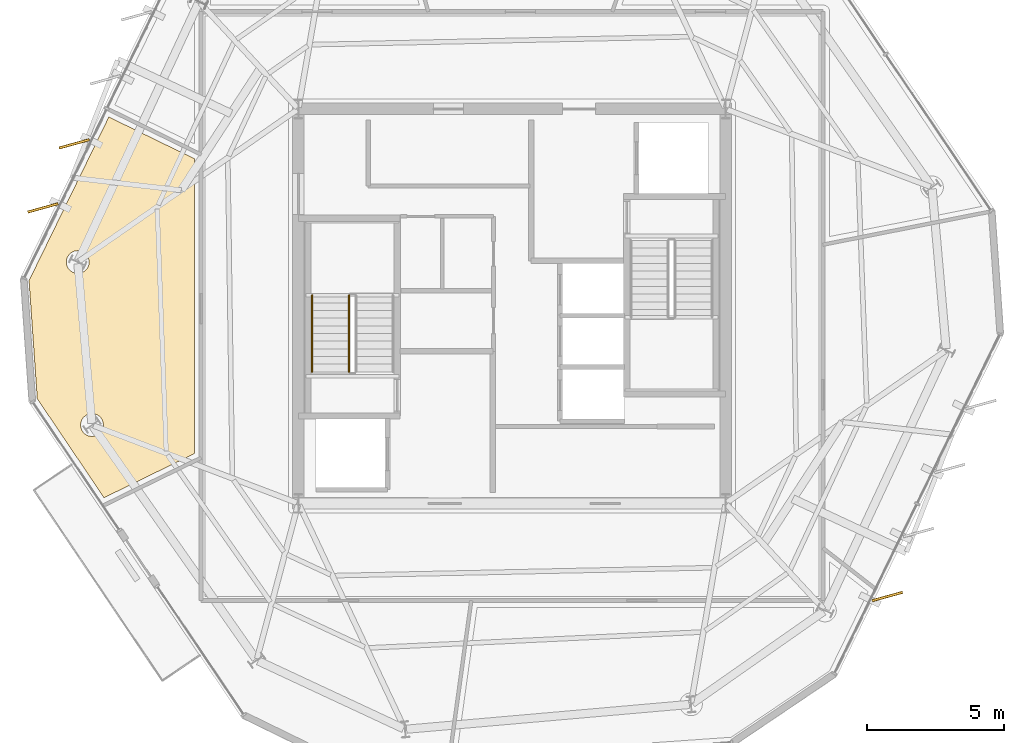
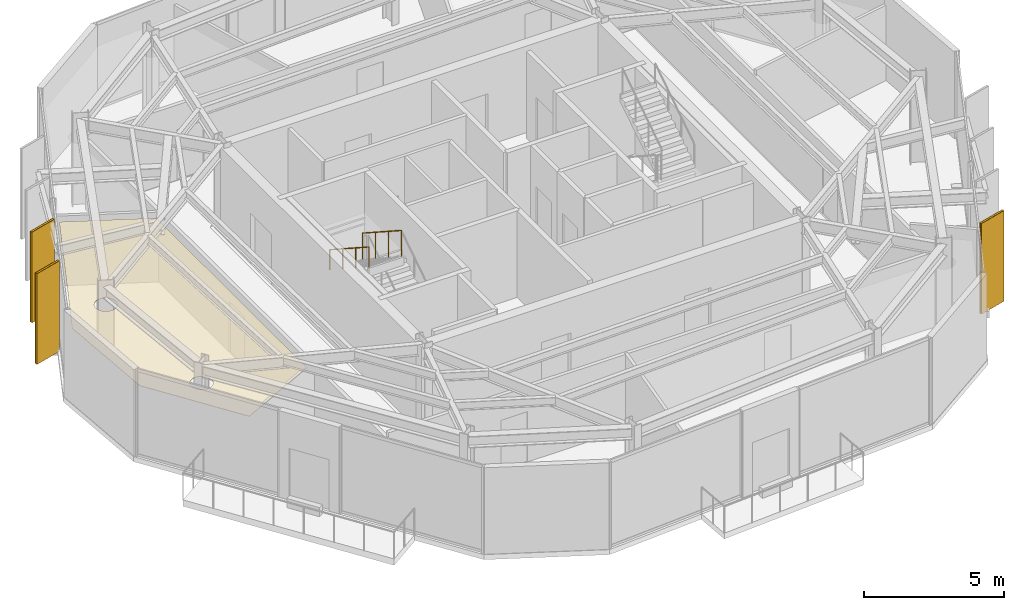
# One storey, part 10 of 13: 4 coverings, 3 shading devices, 2 railings.
"""IFC4 building model written with IfcOpenShell, lengths in metres."""

from ifc_helpers import new_model, si_unit, direction, frame, origin, origin_2d, place, context, subcontext, project, spatial, polyline, rectangle, circle, outline, extrude, material, layer, layer_set, type_object, element, save


model = new_model("IFC4")

# Units and contexts
model_context = context("Model", 3, precision=1e-05, world=origin(), true_north=direction((0.0, 1.0)))
body_context = subcontext(model_context, "Body", "Model", "MODEL_VIEW")
ifc_project = project(units=[si_unit("LENGTHUNIT", "METRE"), si_unit("AREAUNIT", "SQUARE_METRE"), si_unit("VOLUMEUNIT", "CUBIC_METRE"), si_unit("PLANEANGLEUNIT", "RADIAN"), si_unit("MASSUNIT", "GRAM", prefix="KILO")], contexts=[model_context])

# Site, building, storey
site_placement = place(None, origin())
site = spatial("IfcSite", under=ifc_project, at=site_placement, CompositionType="ELEMENT")
building_placement = place(site_placement, origin())
building = spatial("IfcBuilding", under=site, at=building_placement, Name="Kranzbogen Civic Tower", CompositionType="ELEMENT")
storey_placement = place(building_placement, frame((0.0, 0.0, 282.199951171875)))
storey = spatial("IfcBuildingStorey", under=building, at=storey_placement, Name="L68", CompositionType="ELEMENT", Elevation=282.199951171875)

# Coverings
ifc_material_1 = material(Name="Pale Anodised Aluminium", Category="aluminium")
ifc_layer_1 = layer(ifc_material_1, 0.02490234375, Name="Pale Anodised Aluminium")
ifc_layer_set_1 = layer_set([ifc_layer_1], Name="Pale Anodised Aluminium")
covering_type_1 = type_object("IfcCoveringType", Name="Anodised Aluminium Vertical Fin Cladding 25 mm", PredefinedType="CLADDING", material=ifc_layer_set_1)
for number, where, z_axis, x_axis, name in (
    (1, (9.01611328125, 30.926025390625, -0.139892578125), (0.0, 0.0, 1.0), (-0.963979441748, -0.265976758172, 0.0), "L68 vertical fin pale-metal cladding F2-3"),
    (2, (7.8759765625, 28.589111328125, -0.139892578125), (0.0, 0.0, 1.0), (-0.963979441748, -0.265976758172, 0.0), "L68 vertical fin pale-metal cladding F2-4"),
    (3, (38.705078125, 14.39990234375, -0.139892578125), (0.0, 0.0, 1.0), (0.963979441748, 0.265976758172, 0.0), "L68 vertical fin pale-metal cladding F5-1"),
):
    element("IfcCovering", number, at=place(storey_placement, frame(where, z_axis=z_axis, x_axis=x_axis)), inside=storey, type_object=covering_type_1, Name=name, PredefinedType="CLADDING", context=body_context, shape_type="SweptSolid", body=[
        extrude(rectangle(XDim=1.14990234375, YDim=0.094970703125, at=origin_2d()), origin(), (0.0, 0.0, 1.0), 3.9599609375),
    ])

# Railing
ifc_material_2 = material(Name="Steel S355", Category="steel")
railing_type_1 = type_object("IfcRailingType", Name="Internal Stair and Void Steel Guardrail 1150", PredefinedType="GUARDRAIL", material=ifc_material_2)
railing_1_placement = place(storey_placement, frame((19.050048828125, 25.39990234375, 2.181884765625)))
element("IfcRailing", 4, at=railing_1_placement, inside=storey, type_object=railing_type_1, Name="L68 ST-T1 stair guard 3", PredefinedType="GUARDRAIL", context=body_context, shape_type="SweptSolid", body=[
    extrude(circle(Radius=0.02392578125, at=origin_2d()), frame((0.0, 0.0, 1.1259765625), z_axis=(0.0, -0.83868413941, 0.544618136222), x_axis=(1.0, 0.0, 0.0)), (0.0, 0.0, 1.0), 3.33837890625),
    extrude(circle(Radius=0.02099609375, at=origin_2d()), origin(), (0.0, 0.0, 1.0), 1.101806640625),
    extrude(circle(Radius=0.02099609375, at=origin_2d()), frame((0.0, -0.933349609375, 0.60595703125)), (0.0, 0.0, 1.0), 1.101806640625),
    extrude(circle(Radius=0.02099609375, at=origin_2d()), frame((0.0, -1.866455078125, 1.212158203125)), (0.0, 0.0, 1.0), 1.101806640625),
    extrude(circle(Radius=0.02099609375, at=origin_2d()), frame((0.0, -2.7998046875, 1.818115234375)), (0.0, 0.0, 1.0), 1.101806640625),
])

# Shading devices
shading_device_type = type_object("IfcShadingDeviceType", Name="Pale Anodised Aluminium Crown Fin 1150x75", PredefinedType="USERDEFINED", material=ifc_material_1)
for number, where, z_axis, x_axis, name in (
    (5, (9.01611328125, 30.926025390625, -0.139892578125), (0.0, 0.0, 1.0), (-0.963979441748, -0.265976758172, 0.0), "L68 vertical exterior shading fin F2-3"),
    (6, (7.8759765625, 28.589111328125, -0.139892578125), (0.0, 0.0, 1.0), (-0.963979441748, -0.265976758172, 0.0), "L68 vertical exterior shading fin F2-4"),
    (7, (38.705078125, 14.39990234375, -0.139892578125), (0.0, 0.0, 1.0), (0.963979441748, 0.265976758172, 0.0), "L68 vertical exterior shading fin F5-1"),
):
    element("IfcShadingDevice", number, at=place(storey_placement, frame(where, z_axis=z_axis, x_axis=x_axis)), inside=storey, type_object=shading_device_type, Name=name, ObjectType="FIN", PredefinedType="USERDEFINED", context=body_context, shape_type="SweptSolid", body=[
        extrude(rectangle(XDim=1.14990234375, YDim=0.074951171875, at=origin_2d()), origin(), (0.0, 0.0, 1.0), 3.9599609375),
    ])

# Covering
ifc_material_3 = material(Name="Perforated Acoustic Gypsum Ceiling")
ifc_layer_2 = layer(ifc_material_3, 0.02490234375, Name="Perforated Acoustic Gypsum Ceiling")
ifc_layer_set_2 = layer_set([ifc_layer_2], Name="Perforated Acoustic Gypsum Ceiling")
covering_type_2 = type_object("IfcCoveringType", Name="Perforated Acoustic Mineral Ceiling Tile 25 mm", PredefinedType="CEILING", material=ifc_layer_set_2)
covering_placement = place(storey_placement, frame((0.0, 0.0, 2.900146484375)))
element("IfcCovering", 8, at=covering_placement, inside=storey, type_object=covering_type_2, Name="L68 Citizen Services Kiosk acoustic ceiling", PredefinedType="CEILING", context=body_context, shape_type="SweptSolid", body=[
    extrude(outline(polyline([(7.366943359375, 25.93505859375), (10.280029296875, 31.906982421875), (13.405029296875, 30.383056640625), (13.405029296875, 19.616943359375), (10.10498046875, 18.007080078125), (7.66796875, 21.6201171875), (7.366943359375, 25.93505859375)]), holes=[polyline([(10.050048828125, 20.501953125), (10.031982421875, 20.465087890625), (10.010986328125, 20.429931640625), (9.987060546875, 20.39697265625), (9.9599609375, 20.366943359375), (9.929931640625, 20.340087890625), (9.89697265625, 20.31591796875), (9.862060546875, 20.294921875), (9.824951171875, 20.277099609375), (9.787109375, 20.262939453125), (9.7470703125, 20.25390625), (9.70703125, 20.248046875), (9.666015625, 20.24609375), (9.625, 20.248046875), (9.5849609375, 20.25390625), (9.544921875, 20.262939453125), (9.507080078125, 20.277099609375), (9.469970703125, 20.294921875), (9.43505859375, 20.31591796875), (9.402099609375, 20.340087890625), (9.3720703125, 20.366943359375), (9.344970703125, 20.39697265625), (9.321044921875, 20.429931640625), (9.300048828125, 20.465087890625), (9.281982421875, 20.501953125), (9.26806640625, 20.5400390625), (9.259033203125, 20.580078125), (9.2529296875, 20.6201171875), (9.2509765625, 20.660888671875), (9.2529296875, 20.701904296875), (9.259033203125, 20.741943359375), (9.26806640625, 20.781982421875), (9.281982421875, 20.820068359375), (9.300048828125, 20.85693359375), (9.321044921875, 20.89208984375), (9.344970703125, 20.925048828125), (9.3720703125, 20.955078125), (9.402099609375, 20.98193359375), (9.43505859375, 21.006103515625), (9.469970703125, 21.027099609375), (9.507080078125, 21.044921875), (9.544921875, 21.05908203125), (9.5849609375, 21.068115234375), (9.625, 21.073974609375), (9.666015625, 21.075927734375), (9.70703125, 21.073974609375), (9.7470703125, 21.068115234375), (9.787109375, 21.05908203125), (9.824951171875, 21.044921875), (9.862060546875, 21.027099609375), (9.89697265625, 21.006103515625), (9.929931640625, 20.98193359375), (9.9599609375, 20.955078125), (9.987060546875, 20.925048828125), (10.010986328125, 20.89208984375), (10.031982421875, 20.85693359375), (10.050048828125, 20.820068359375), (10.06396484375, 20.781982421875), (10.072998046875, 20.741943359375), (10.0791015625, 20.701904296875), (10.0810546875, 20.660888671875), (10.0791015625, 20.6201171875), (10.072998046875, 20.580078125), (10.06396484375, 20.5400390625), (10.050048828125, 20.501953125)]), polyline([(9.529052734375, 26.450927734375), (9.510986328125, 26.4140625), (9.489990234375, 26.37890625), (9.466064453125, 26.345947265625), (9.43896484375, 26.31591796875), (9.408935546875, 26.2890625), (9.3759765625, 26.264892578125), (9.341064453125, 26.243896484375), (9.303955078125, 26.22607421875), (9.26611328125, 26.2119140625), (9.22607421875, 26.202880859375), (9.18603515625, 26.197021484375), (9.14501953125, 26.195068359375), (9.10400390625, 26.197021484375), (9.06396484375, 26.202880859375), (9.02392578125, 26.2119140625), (8.986083984375, 26.22607421875), (8.948974609375, 26.243896484375), (8.9140625, 26.264892578125), (8.881103515625, 26.2890625), (8.85107421875, 26.31591796875), (8.823974609375, 26.345947265625), (8.800048828125, 26.37890625), (8.779052734375, 26.4140625), (8.760986328125, 26.450927734375), (8.7470703125, 26.489013671875), (8.738037109375, 26.529052734375), (8.73193359375, 26.569091796875), (8.72998046875, 26.610107421875), (8.73193359375, 26.65087890625), (8.738037109375, 26.69091796875), (8.7470703125, 26.73095703125), (8.760986328125, 26.76904296875), (8.779052734375, 26.805908203125), (8.800048828125, 26.841064453125), (8.823974609375, 26.8740234375), (8.85107421875, 26.904052734375), (8.881103515625, 26.930908203125), (8.9140625, 26.955078125), (8.948974609375, 26.97607421875), (8.986083984375, 26.993896484375), (9.02392578125, 27.008056640625), (9.06396484375, 27.01708984375), (9.10400390625, 27.02294921875), (9.14501953125, 27.02490234375), (9.18603515625, 27.02294921875), (9.22607421875, 27.01708984375), (9.26611328125, 27.008056640625), (9.303955078125, 26.993896484375), (9.341064453125, 26.97607421875), (9.3759765625, 26.955078125), (9.408935546875, 26.930908203125), (9.43896484375, 26.904052734375), (9.466064453125, 26.8740234375), (9.489990234375, 26.841064453125), (9.510986328125, 26.805908203125), (9.529052734375, 26.76904296875), (9.54296875, 26.73095703125), (9.552001953125, 26.69091796875), (9.55810546875, 26.65087890625), (9.56005859375, 26.610107421875), (9.55810546875, 26.569091796875), (9.552001953125, 26.529052734375), (9.54296875, 26.489013671875), (9.529052734375, 26.450927734375)])]), origin(), (0.0, 0.0, 1.0), 0.02490234375),
])

# Railing
railing_type_2 = type_object("IfcRailingType", Name="Tubular Stainless Stair Wall Handrail 900", PredefinedType="HANDRAIL", material=ifc_material_1)
railing_2_placement = place(storey_placement, frame((17.699951171875, 25.39990234375, 2.181884765625)))
element("IfcRailing", 9, at=railing_2_placement, inside=storey, type_object=railing_type_2, Name="L68 ST-T1 stair handrail 2", PredefinedType="HANDRAIL", context=body_context, shape_type="SweptSolid", body=[
    extrude(circle(Radius=0.02392578125, at=origin_2d()), frame((0.0, 0.0, 0.8759765625), z_axis=(0.0, -0.83868413941, 0.544618136222), x_axis=(1.0, 0.0, 0.0)), (0.0, 0.0, 1.0), 3.33837890625),
    extrude(circle(Radius=0.02099609375, at=origin_2d()), origin(), (0.0, 0.0, 1.0), 0.851806640625),
    extrude(circle(Radius=0.02099609375, at=origin_2d()), frame((0.0, -0.933349609375, 0.60595703125)), (0.0, 0.0, 1.0), 0.851806640625),
    extrude(circle(Radius=0.02099609375, at=origin_2d()), frame((0.0, -1.866455078125, 1.212158203125)), (0.0, 0.0, 1.0), 0.851806640625),
    extrude(circle(Radius=0.02099609375, at=origin_2d()), frame((0.0, -2.7998046875, 1.818115234375)), (0.0, 0.0, 1.0), 0.851806640625),
])

save(model, "model.ifc")
